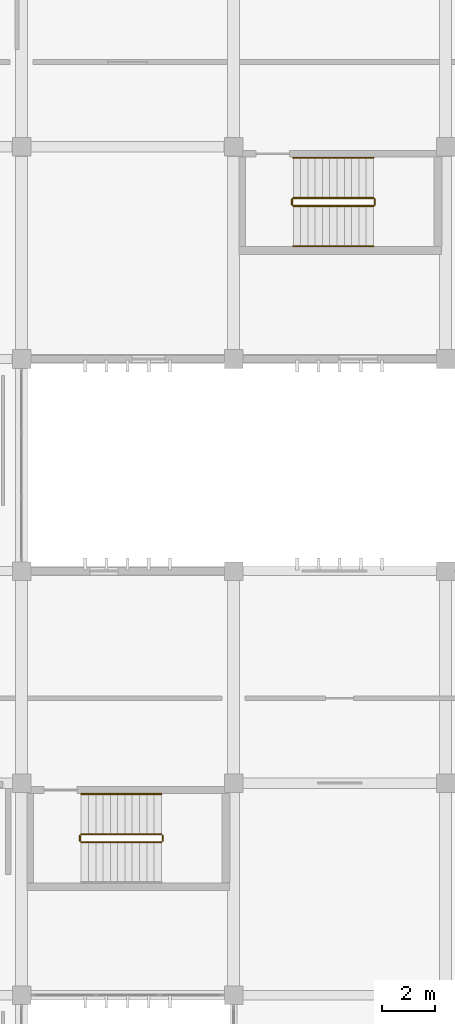
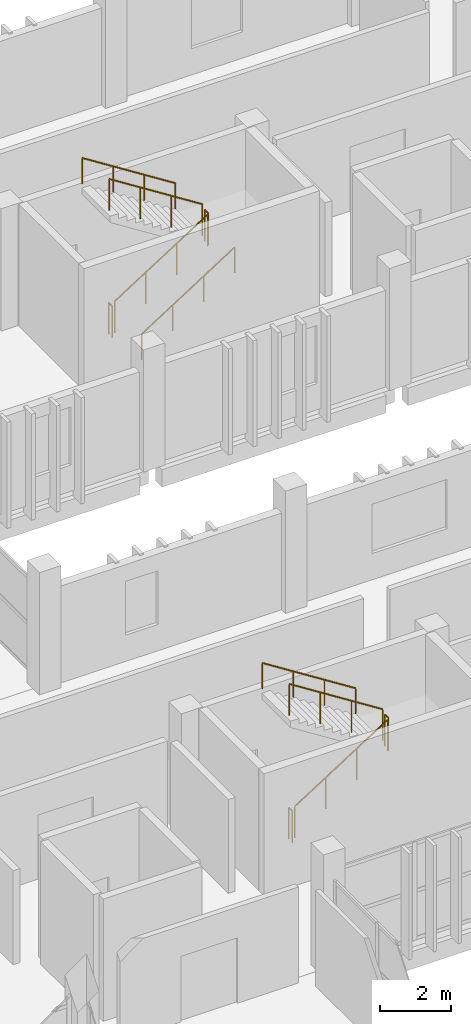
# One storey, part 137 of 137: 11 railings.
"""IFC4 building model written with IfcOpenShell, lengths in metres."""

from ifc_helpers import new_model, si_unit, direction, frame, origin, origin_2d, place, context, subcontext, project, spatial, circle, extrude, material, type_object, element, save


model = new_model("IFC4")

# Units and contexts
model_context = context("Model", 3, precision=1e-05, world=origin(), true_north=direction((0.0, 1.0)))
body_context = subcontext(model_context, "Body", "Model", "MODEL_VIEW")
ifc_project = project(units=[si_unit("LENGTHUNIT", "METRE"), si_unit("AREAUNIT", "SQUARE_METRE"), si_unit("VOLUMEUNIT", "CUBIC_METRE"), si_unit("PLANEANGLEUNIT", "RADIAN"), si_unit("MASSUNIT", "GRAM", prefix="KILO")], contexts=[model_context])

# Site, building, storey
site_placement = place(None, origin())
site = spatial("IfcSite", under=ifc_project, at=site_placement, CompositionType="ELEMENT")
building_placement = place(site_placement, origin())
building = spatial("IfcBuilding", under=site, at=building_placement, Name="Jelvoka-Kovrelna Polytechnic", CompositionType="ELEMENT")
storey_placement = place(building_placement, frame((0.0, 0.0, 9.60009765625)))
storey = spatial("IfcBuildingStorey", under=building, at=storey_placement, Name="L03", CompositionType="ELEMENT", Elevation=9.60009765625)

# Railings
ifc_material_1 = material(Name="Powder-coated steel stair guard", Category="steel")
railing_type_1 = type_object("IfcRailingType", Name="Railing_Stair_Guard_1100", PredefinedType="GUARDRAIL", material=ifc_material_1)
railing_1_placement = place(storey_placement, frame((154.25, 37.77001953125, 0.1748046875)))
element("IfcRailing", 1, at=railing_1_placement, inside=storey, type_object=railing_type_1, Name="L03 ST08 stair guard 1", PredefinedType="GUARDRAIL", context=body_context, shape_type="SweptSolid", body=[
    extrude(circle(Radius=0.02392578125, at=origin_2d()), frame((0.0, 0.0, 1.076171875), z_axis=(0.84364746871, 0.0, 0.536897521451), x_axis=(0.0, 1.0, 0.0)), (0.0, 0.0, 1.0), 3.58544921875),
    extrude(circle(Radius=0.02099609375, at=origin_2d()), origin(), (0.0, 0.0, 1.0), 1.052001953125),
    extrude(circle(Radius=0.02099609375, at=origin_2d()), frame((1.00830078125, 0.0, 0.6416015625)), (0.0, 0.0, 1.0), 1.052001953125),
    extrude(circle(Radius=0.02099609375, at=origin_2d()), frame((2.0166015625, 0.0, 1.283447265625)), (0.0, 0.0, 1.0), 1.052001953125),
    extrude(circle(Radius=0.02099609375, at=origin_2d()), frame((3.02490234375, 0.0, 1.925048828125)), (0.0, 0.0, 1.0), 1.052001953125),
])
railing_2_placement = place(storey_placement, frame((157.324951171875, 37.820068359375, 2.099853515625)))
element("IfcRailing", 2, at=railing_2_placement, inside=storey, type_object=railing_type_1, Name="L03 ST08 stair guard 2", PredefinedType="GUARDRAIL", context=body_context, shape_type="SweptSolid", body=[
    extrude(circle(Radius=0.02392578125, at=origin_2d()), frame((0.0, 0.0, 1.076171875), z_axis=(0.0, 1.0, 0.0), x_axis=(-1.0, 0.0, 0.0)), (0.0, 0.0, 1.0), 0.199951171875),
    extrude(circle(Radius=0.02099609375, at=origin_2d()), origin(), (0.0, 0.0, 1.0), 1.052001953125),
    extrude(circle(Radius=0.02099609375, at=origin_2d()), frame((0.0, 0.199951171875, 0.0)), (0.0, 0.0, 1.0), 1.052001953125),
])
railing_3_placement = place(storey_placement, frame((157.27490234375, 38.070068359375, 2.27490234375)))
element("IfcRailing", 3, at=railing_3_placement, inside=storey, type_object=railing_type_1, Name="L03 ST08 stair guard 3", PredefinedType="GUARDRAIL", context=body_context, shape_type="SweptSolid", body=[
    extrude(circle(Radius=0.02392578125, at=origin_2d()), frame((0.0, 0.0, 1.076171875), z_axis=(-0.84364746871, 0.0, 0.536897521451), x_axis=(0.0, -1.0, 0.0)), (0.0, 0.0, 1.0), 3.58544921875),
    extrude(circle(Radius=0.02099609375, at=origin_2d()), origin(), (0.0, 0.0, 1.0), 1.052001953125),
    extrude(circle(Radius=0.02099609375, at=origin_2d()), frame((-1.00830078125, 0.0, 0.6416015625)), (0.0, 0.0, 1.0), 1.052001953125),
    extrude(circle(Radius=0.02099609375, at=origin_2d()), frame((-2.0166015625, 0.0, 1.283447265625)), (0.0, 0.0, 1.0), 1.052001953125),
    extrude(circle(Radius=0.02099609375, at=origin_2d()), frame((-3.02490234375, 0.0, 1.925048828125)), (0.0, 0.0, 1.0), 1.052001953125),
])
railing_4_placement = place(storey_placement, frame((154.199951171875, 37.820068359375, 0.0)))
element("IfcRailing", 4, at=railing_4_placement, inside=storey, type_object=railing_type_1, Name="L03 ST08 stair guard 4", PredefinedType="GUARDRAIL", context=body_context, shape_type="SweptSolid", body=[
    extrude(circle(Radius=0.02392578125, at=origin_2d()), frame((0.0, 0.0, 1.076171875), z_axis=(0.0, 1.0, 0.0), x_axis=(-1.0, 0.0, 0.0)), (0.0, 0.0, 1.0), 0.199951171875),
    extrude(circle(Radius=0.02099609375, at=origin_2d()), origin(), (0.0, 0.0, 1.0), 1.052001953125),
    extrude(circle(Radius=0.02099609375, at=origin_2d()), frame((0.0, 0.199951171875, 0.0)), (0.0, 0.0, 1.0), 1.052001953125),
])
railing_5_placement = place(storey_placement, frame((162.25, 61.77001953125, 0.1748046875)))
element("IfcRailing", 5, at=railing_5_placement, inside=storey, type_object=railing_type_1, Name="L03 ST10 stair guard 1", PredefinedType="GUARDRAIL", context=body_context, shape_type="SweptSolid", body=[
    extrude(circle(Radius=0.02392578125, at=origin_2d()), frame((0.0, 0.0, 1.076171875), z_axis=(0.84364746871, 0.0, 0.536897521451), x_axis=(0.0, 1.0, 0.0)), (0.0, 0.0, 1.0), 3.58544921875),
    extrude(circle(Radius=0.02099609375, at=origin_2d()), origin(), (0.0, 0.0, 1.0), 1.052001953125),
    extrude(circle(Radius=0.02099609375, at=origin_2d()), frame((1.00830078125, 0.0, 0.6416015625)), (0.0, 0.0, 1.0), 1.052001953125),
    extrude(circle(Radius=0.02099609375, at=origin_2d()), frame((2.0166015625, 0.0, 1.283447265625)), (0.0, 0.0, 1.0), 1.052001953125),
    extrude(circle(Radius=0.02099609375, at=origin_2d()), frame((3.02490234375, 0.0, 1.925048828125)), (0.0, 0.0, 1.0), 1.052001953125),
])
railing_6_placement = place(storey_placement, frame((165.324951171875, 61.820068359375, 2.099853515625)))
element("IfcRailing", 6, at=railing_6_placement, inside=storey, type_object=railing_type_1, Name="L03 ST10 stair guard 2", PredefinedType="GUARDRAIL", context=body_context, shape_type="SweptSolid", body=[
    extrude(circle(Radius=0.02392578125, at=origin_2d()), frame((0.0, 0.0, 1.076171875), z_axis=(0.0, 1.0, 0.0), x_axis=(-1.0, 0.0, 0.0)), (0.0, 0.0, 1.0), 0.199951171875),
    extrude(circle(Radius=0.02099609375, at=origin_2d()), origin(), (0.0, 0.0, 1.0), 1.052001953125),
    extrude(circle(Radius=0.02099609375, at=origin_2d()), frame((0.0, 0.199951171875, 0.0)), (0.0, 0.0, 1.0), 1.052001953125),
])
railing_7_placement = place(storey_placement, frame((165.27490234375, 62.070068359375, 2.27490234375)))
element("IfcRailing", 7, at=railing_7_placement, inside=storey, type_object=railing_type_1, Name="L03 ST10 stair guard 3", PredefinedType="GUARDRAIL", context=body_context, shape_type="SweptSolid", body=[
    extrude(circle(Radius=0.02392578125, at=origin_2d()), frame((0.0, 0.0, 1.076171875), z_axis=(-0.84364746871, 0.0, 0.536897521451), x_axis=(0.0, -1.0, 0.0)), (0.0, 0.0, 1.0), 3.58544921875),
    extrude(circle(Radius=0.02099609375, at=origin_2d()), origin(), (0.0, 0.0, 1.0), 1.052001953125),
    extrude(circle(Radius=0.02099609375, at=origin_2d()), frame((-1.00830078125, 0.0, 0.6416015625)), (0.0, 0.0, 1.0), 1.052001953125),
    extrude(circle(Radius=0.02099609375, at=origin_2d()), frame((-2.0166015625, 0.0, 1.283447265625)), (0.0, 0.0, 1.0), 1.052001953125),
    extrude(circle(Radius=0.02099609375, at=origin_2d()), frame((-3.02490234375, 0.0, 1.925048828125)), (0.0, 0.0, 1.0), 1.052001953125),
])
railing_8_placement = place(storey_placement, frame((162.199951171875, 61.820068359375, 0.0)))
element("IfcRailing", 8, at=railing_8_placement, inside=storey, type_object=railing_type_1, Name="L03 ST10 stair guard 4", PredefinedType="GUARDRAIL", context=body_context, shape_type="SweptSolid", body=[
    extrude(circle(Radius=0.02392578125, at=origin_2d()), frame((0.0, 0.0, 1.076171875), z_axis=(0.0, 1.0, 0.0), x_axis=(-1.0, 0.0, 0.0)), (0.0, 0.0, 1.0), 0.199951171875),
    extrude(circle(Radius=0.02099609375, at=origin_2d()), origin(), (0.0, 0.0, 1.0), 1.052001953125),
    extrude(circle(Radius=0.02099609375, at=origin_2d()), frame((0.0, 0.199951171875, 0.0)), (0.0, 0.0, 1.0), 1.052001953125),
])
ifc_material_2 = material(Name="Brushed stainless steel handrail", Category="steel")
railing_type_2 = type_object("IfcRailingType", Name="Railing_Stair_Handrail_900", PredefinedType="HANDRAIL", material=ifc_material_2)
railing_9_placement = place(storey_placement, frame((157.27490234375, 39.590087890625, 2.27490234375)))
element("IfcRailing", 9, at=railing_9_placement, inside=storey, type_object=railing_type_2, Name="L03 ST08 stair handrail 2", PredefinedType="HANDRAIL", context=body_context, shape_type="SweptSolid", body=[
    extrude(circle(Radius=0.02392578125, at=origin_2d()), frame((0.0, 0.0, 0.8759765625), z_axis=(-0.84364746871, 0.0, 0.536897521451), x_axis=(0.0, -1.0, 0.0)), (0.0, 0.0, 1.0), 3.58544921875),
    extrude(circle(Radius=0.02099609375, at=origin_2d()), origin(), (0.0, 0.0, 1.0), 0.851806640625),
    extrude(circle(Radius=0.02099609375, at=origin_2d()), frame((-1.00830078125, 0.0, 0.6416015625)), (0.0, 0.0, 1.0), 0.851806640625),
    extrude(circle(Radius=0.02099609375, at=origin_2d()), frame((-2.0166015625, 0.0, 1.283447265625)), (0.0, 0.0, 1.0), 0.851806640625),
    extrude(circle(Radius=0.02099609375, at=origin_2d()), frame((-3.02490234375, 0.0, 1.925048828125)), (0.0, 0.0, 1.0), 0.851806640625),
])
railing_10_placement = place(storey_placement, frame((162.25, 60.25, 0.1748046875)))
element("IfcRailing", 10, at=railing_10_placement, inside=storey, type_object=railing_type_2, Name="L03 ST10 stair handrail 1", PredefinedType="HANDRAIL", context=body_context, shape_type="SweptSolid", body=[
    extrude(circle(Radius=0.02392578125, at=origin_2d()), frame((0.0, 0.0, 0.8759765625), z_axis=(0.84364746871, 0.0, 0.536897521451), x_axis=(0.0, 1.0, 0.0)), (0.0, 0.0, 1.0), 3.58544921875),
    extrude(circle(Radius=0.02099609375, at=origin_2d()), origin(), (0.0, 0.0, 1.0), 0.851806640625),
    extrude(circle(Radius=0.02099609375, at=origin_2d()), frame((1.00830078125, 0.0, 0.6416015625)), (0.0, 0.0, 1.0), 0.851806640625),
    extrude(circle(Radius=0.02099609375, at=origin_2d()), frame((2.0166015625, 0.0, 1.283447265625)), (0.0, 0.0, 1.0), 0.851806640625),
    extrude(circle(Radius=0.02099609375, at=origin_2d()), frame((3.02490234375, 0.0, 1.925048828125)), (0.0, 0.0, 1.0), 0.851806640625),
])
railing_11_placement = place(storey_placement, frame((165.27490234375, 63.590087890625, 2.27490234375)))
element("IfcRailing", 11, at=railing_11_placement, inside=storey, type_object=railing_type_2, Name="L03 ST10 stair handrail 2", PredefinedType="HANDRAIL", context=body_context, shape_type="SweptSolid", body=[
    extrude(circle(Radius=0.02392578125, at=origin_2d()), frame((0.0, 0.0, 0.8759765625), z_axis=(-0.84364746871, 0.0, 0.536897521451), x_axis=(0.0, -1.0, 0.0)), (0.0, 0.0, 1.0), 3.58544921875),
    extrude(circle(Radius=0.02099609375, at=origin_2d()), origin(), (0.0, 0.0, 1.0), 0.851806640625),
    extrude(circle(Radius=0.02099609375, at=origin_2d()), frame((-1.00830078125, 0.0, 0.6416015625)), (0.0, 0.0, 1.0), 0.851806640625),
    extrude(circle(Radius=0.02099609375, at=origin_2d()), frame((-2.0166015625, 0.0, 1.283447265625)), (0.0, 0.0, 1.0), 0.851806640625),
    extrude(circle(Radius=0.02099609375, at=origin_2d()), frame((-3.02490234375, 0.0, 1.925048828125)), (0.0, 0.0, 1.0), 0.851806640625),
])

save(model, "model.ifc")
